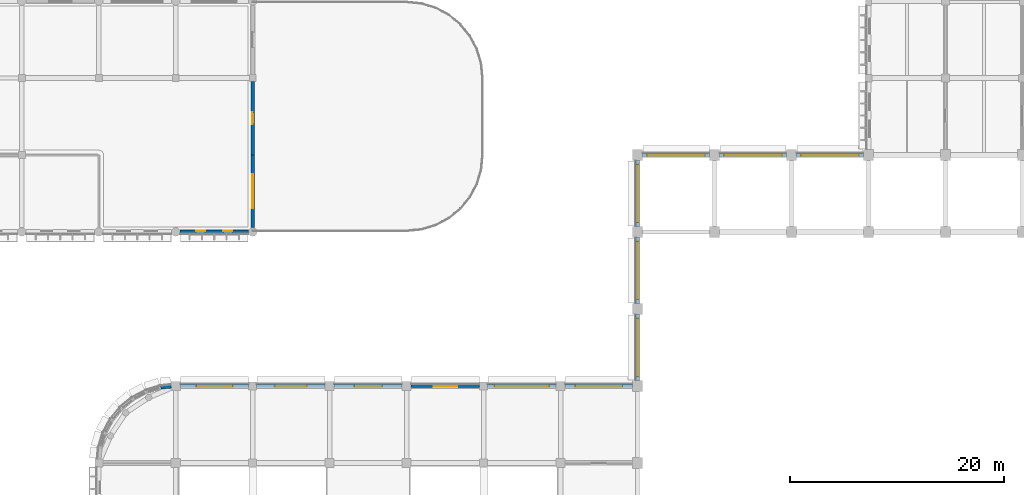
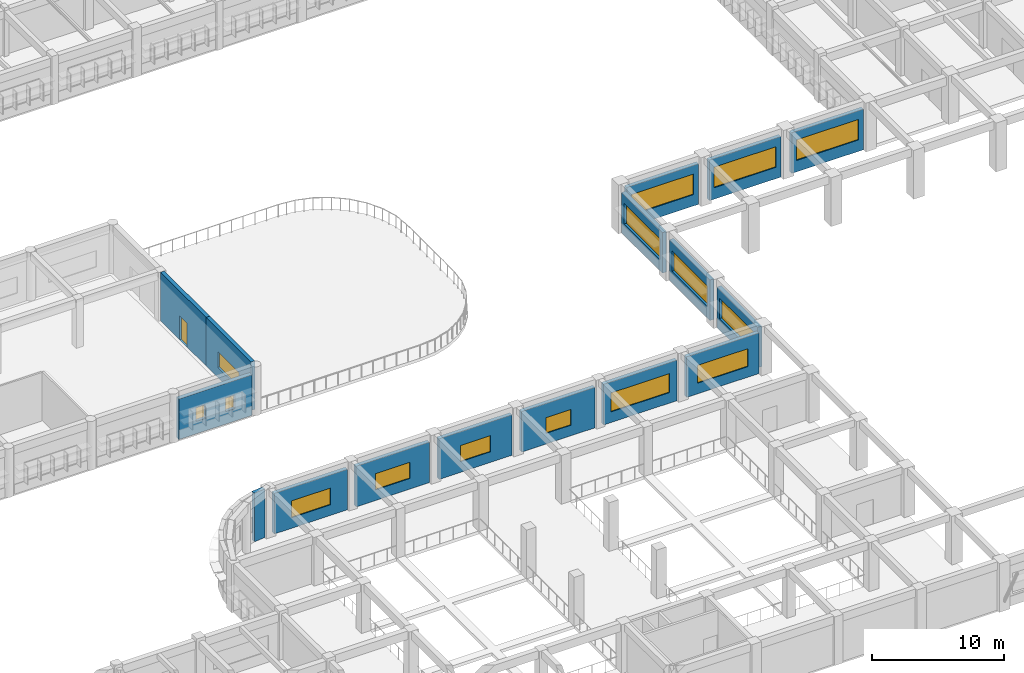
# One storey, part 41 of 61: 16 walls, 15 windows, 1 door, 16 openings.
"""IFC4 building model written with IfcOpenShell, lengths in metres."""

import ifcopenshell
import ifcopenshell.guid

model = None  # the IFC model being written
_history = None  # IfcOwnerHistory: only IFC2X3 demands one
_inside = {}  # id of a spatial element -> (the spatial element, [elements in it])
_under = {}  # id of a project, library or spatial element -> (it, [spatial elements below it])
_declared = {}  # id of a project -> (the project, [libraries it declares])
_typed = {}  # id of a type object -> (the type object, [elements of that type])
_made_of = {}  # id of a material, layer set ... -> (it, [elements and type objects made of it])


def new_model(schema):
    """Start an empty IFC model of exactly this schema.

    Asked for "IFC4X3", IfcOpenShell would pick the latest addendum, in which some entities
    have other attributes; the version numbers below select the first issue.
    IFC2X3 requires an IfcOwnerHistory on every rooted entity: one is made here for all.
    """
    global model, _history
    if schema == "IFC4X3":
        model = ifcopenshell.file(schema_version=(4, 3, 0, 0))
    else:
        model = ifcopenshell.file(schema=schema)
    _inside.clear()
    _under.clear()
    _declared.clear()
    _typed.clear()
    _made_of.clear()
    _history = None
    if model.schema == "IFC2X3":
        org = make("IfcOrganization", Name="unknown")
        user = make(
            "IfcPersonAndOrganization",
            ThePerson=make("IfcPerson", FamilyName="unknown"),
            TheOrganization=org,
        )
        app = make(
            "IfcApplication",
            ApplicationDeveloper=org,
            Version="unknown",
            ApplicationFullName="unknown",
            ApplicationIdentifier="unknown",
        )
        _history = make(
            "IfcOwnerHistory",
            OwningUser=user,
            OwningApplication=app,
            ChangeAction="ADDED",
            CreationDate=0,
        )
    return model


def make(cls, **values):
    """One entity of the class cls with the attributes given. An attribute that is None is left unset."""
    return model.create_entity(
        cls, **{name: value for name, value in values.items() if value is not None}
    )


def rooted(cls, **values):
    """An entity with a GlobalId (a new one), such as an element, a storey or a relation."""
    return make(cls, GlobalId=ifcopenshell.guid.new(), OwnerHistory=_history, **values)


def si_unit(unit_type, name, prefix=None):
    """IfcSIUnit, for example si_unit("LENGTHUNIT", "METRE", prefix="MILLI")."""
    return make("IfcSIUnit", UnitType=unit_type, Prefix=prefix, Name=name)


def assignment(units):
    """IfcUnitAssignment: the units of a project."""
    return None if units is None else make("IfcUnitAssignment", Units=units)


def point(xyz):
    """IfcCartesianPoint."""
    return None if xyz is None else make("IfcCartesianPoint", Coordinates=xyz)


def direction(xyz):
    """IfcDirection."""
    return None if xyz is None else make("IfcDirection", DirectionRatios=xyz)


def frame(location, z_axis=None, x_axis=None):
    """IfcAxis2Placement3D, a coordinate frame: its origin and axes. An axis left out is left unset."""
    return make(
        "IfcAxis2Placement3D",
        Location=point(location),
        Axis=direction(z_axis),
        RefDirection=direction(x_axis),
    )


def frame_2d(location, x_axis=None):
    """IfcAxis2Placement2D, a coordinate frame in the plane: its origin and x axis."""
    return make(
        "IfcAxis2Placement2D", Location=point(location), RefDirection=direction(x_axis)
    )


def origin():
    """The frame at (0, 0, 0) with its axes left unset."""
    return frame((0.0, 0.0, 0.0))


def place(relative_to, where):
    """IfcLocalPlacement: puts the frame where relative to a parent placement (None: the world)."""
    return make(
        "IfcLocalPlacement", PlacementRelTo=relative_to, RelativePlacement=where
    )


def context(
    kind, dimensions, precision=None, world=None, true_north=None, identifier=None
):
    """IfcGeometricRepresentationContext, for example the 3D "Model" context."""
    return make(
        "IfcGeometricRepresentationContext",
        ContextIdentifier=identifier,
        ContextType=kind,
        CoordinateSpaceDimension=dimensions,
        Precision=precision,
        WorldCoordinateSystem=world,
        TrueNorth=true_north,
    )


def subcontext(parent, identifier, kind, view, scale=None):
    """IfcGeometricRepresentationSubContext, for example "Body" below "Model"."""
    return make(
        "IfcGeometricRepresentationSubContext",
        ContextIdentifier=identifier,
        ContextType=kind,
        ParentContext=parent,
        TargetScale=scale,
        TargetView=view,
    )


def project(units=None, contexts=None):
    """IfcProject with its units and contexts."""
    return rooted(
        "IfcProject",
        Name="project",
        RepresentationContexts=contexts,
        UnitsInContext=assignment(units),
    )


def spatial(cls, under=None, at=None, **own):
    """A site, building, storey or space (cls), placed at a placement, below another one or the project."""
    s = rooted(cls, ObjectPlacement=at, **own)
    if under is not None:
        _under.setdefault(under.id(), (under, []))[1].append(s)
    return s


def profile(cls, at=None, kind="AREA", **sizes):
    """A parametric profile (cls). Its sizes go by their IFC names, for example OverallWidth=200.0."""
    return make(cls, ProfileType=kind, Position=at, **sizes)


def rectangle(**sizes):
    """IfcRectangleProfileDef."""
    return profile("IfcRectangleProfileDef", **sizes)


def extrude(swept, where, along, depth):
    """IfcExtrudedAreaSolid: the profile swept, set in the frame where, extruded along a direction by depth."""
    return make(
        "IfcExtrudedAreaSolid",
        SweptArea=swept,
        Position=where,
        ExtrudedDirection=direction(along),
        Depth=depth,
    )


def shape(context_of_items, identifier, shape_type, items):
    """IfcShapeRepresentation: the items that make up one representation, for example the "Body"."""
    return make(
        "IfcShapeRepresentation",
        ContextOfItems=context_of_items,
        RepresentationIdentifier=identifier,
        RepresentationType=shape_type,
        Items=items,
    )


def material(Name=None, Category=None):
    """IfcMaterial."""
    return make("IfcMaterial", Name=Name, Category=Category)


def layer(
    of_material, thickness, ventilated=None, Name=None, Category=None, Priority=None
):
    """IfcMaterialLayer: one layer of a wall or slab, of a material (None: an air gap)."""
    return make(
        "IfcMaterialLayer",
        Material=of_material,
        LayerThickness=thickness,
        IsVentilated=ventilated,
        Name=Name,
        Category=Category,
        Priority=Priority,
    )


def layer_set(layers, Name=None):
    """IfcMaterialLayerSet."""
    return make("IfcMaterialLayerSet", MaterialLayers=layers, LayerSetName=Name)


def made_of(thing, what):
    """Note that an element or type object is made of a material, layer set ...; save() writes the relation."""
    if what is not None:
        _made_of.setdefault(what.id(), (what, []))[1].append(thing)
    return thing


def type_object(cls, material=None, **own):
    """A type object (cls), such as IfcWallType, which elements share."""
    return made_of(rooted(cls, **own), material)


def element(
    cls,
    number,
    at=None,
    inside=None,
    cuts=None,
    type_object=None,
    material=None,
    context=None,
    identifier="Body",
    shape_type=None,
    held_by="IfcProductDefinitionShape",
    body=None,
    shapes=None,
    **own,
):
    """One element of the class cls, such as IfcWall. Its Tag is "e" and its number.

    at: its placement. inside: the storey or other place that contains it. cuts: it is an
    opening in that element (IfcRelVoidsElement). A single representation is given by context,
    identifier, shape_type and body (its items); several are given by shapes. held_by: the class
    of the entity that holds the representations. save() writes the other relations.
    """
    e = rooted(cls, Tag="e%d" % number, ObjectPlacement=at, **own)
    if body is not None:
        shapes = [shape(context, identifier, shape_type, body)]
    if shapes is not None:
        e.Representation = make(held_by, Representations=shapes)
    if inside is not None:
        _inside.setdefault(inside.id(), (inside, []))[1].append(e)
    if cuts is not None:
        rooted(
            "IfcRelVoidsElement", RelatingBuildingElement=cuts, RelatedOpeningElement=e
        )
    if type_object is not None:
        _typed.setdefault(type_object.id(), (type_object, []))[1].append(e)
    return made_of(e, material)


def fill(opening, filler):
    """IfcRelFillsElement: the door or window that sits in an opening."""
    return rooted(
        "IfcRelFillsElement",
        RelatingOpeningElement=opening,
        RelatedBuildingElement=filler,
    )


def aggregate(whole, parts):
    """IfcRelAggregates: a whole, such as a stair, and the parts it consists of."""
    return rooted("IfcRelAggregates", RelatingObject=whole, RelatedObjects=parts)


def save(model, path):
    """Write the relations noted so far, then the file.

    IfcRelAggregates (storeys below a building ...), IfcRelContainedInSpatialStructure (elements
    in a storey), IfcRelDefinesByType, IfcRelAssociatesMaterial and IfcRelDeclares: one each for
    every whole, place, type object, material and project.
    """
    for whole, parts in _under.values():
        aggregate(whole, parts)
    for where, things in _inside.values():
        rooted(
            "IfcRelContainedInSpatialStructure",
            RelatedElements=things,
            RelatingStructure=where,
        )
    for kind, things in _typed.values():
        rooted("IfcRelDefinesByType", RelatedObjects=things, RelatingType=kind)
    for what, things in _made_of.values():
        rooted("IfcRelAssociatesMaterial", RelatedObjects=things, RelatingMaterial=what)
    for by, libraries in _declared.values():
        rooted("IfcRelDeclares", RelatingContext=by, RelatedDefinitions=libraries)
    model.write(path)


model = new_model("IFC4")

# Units and contexts
model_context = context("Model", 3, precision=1e-05, world=origin(), true_north=direction((0.0, 1.0)))
body_context = subcontext(model_context, "Body", "Model", "MODEL_VIEW")
ifc_project = project(units=[si_unit("LENGTHUNIT", "METRE"), si_unit("AREAUNIT", "SQUARE_METRE"), si_unit("VOLUMEUNIT", "CUBIC_METRE"), si_unit("PLANEANGLEUNIT", "RADIAN"), si_unit("MASSUNIT", "GRAM", prefix="KILO")], contexts=[model_context])

# Site, building, storey
site_placement = place(None, origin())
site = spatial("IfcSite", under=ifc_project, at=site_placement, CompositionType="ELEMENT")
building_placement = place(site_placement, origin())
building = spatial("IfcBuilding", under=site, at=building_placement, Name="Thalmaran Polytechnic", CompositionType="ELEMENT")
storey_placement = place(building_placement, frame((0.0, 0.0, 9.89990234375)))
storey = spatial("IfcBuildingStorey", under=building, at=storey_placement, Name="L02", CompositionType="ELEMENT", Elevation=9.89990234375)

# Wall, openings, windows
ifc_material_1 = material(Name="Precast concrete C40/50", Category="concrete")
ifc_layer_1 = layer(ifc_material_1, 0.360107421875, Name="Precast concrete C40/50")
ifc_layer_set_1 = layer_set([ifc_layer_1], Name="Precast concrete C40/50")
wall_type_1 = type_object("IfcWallType", Name="WL-EW01", PredefinedType="STANDARD", material=ifc_layer_set_1)
wall_1_placement = place(storey_placement, frame((71.60009765625, 50.39990234375, 0.0), z_axis=(0.0, 0.0, 1.0), x_axis=(-1.0, 0.0, 0.0)))
wall_1 = element("IfcWall", 1, at=wall_1_placement, inside=storey, type_object=wall_type_1, Name="Exterior Precast Facade Wall L02-122", PredefinedType="STANDARD", context=body_context, shape_type="SweptSolid", body=[
    extrude(rectangle(XDim=6.400146484375, YDim=0.360107421875, at=frame_2d((3.2001953125, 0.0))), origin(), (0.0, 0.0, 1.0), 3.7451171875),
])
opening_1_placement = place(wall_1_placement, frame((1.4951171875, 0.0, 1.14990234375)))
opening_1 = element("IfcOpeningElement", 2, at=opening_1_placement, cuts=wall_1, Name="Opening VW14", PredefinedType="OPENING", context=body_context, shape_type="SweptSolid", body=[
    extrude(rectangle(XDim=0.85009765625, YDim=1.25, at=frame_2d((0.425048828125, 0.625))), frame((0.0, 0.18994140625, 0.0), z_axis=(0.0, -1.0, 0.0), x_axis=(1.0, 0.0, 0.0)), (0.0, 0.0, 1.0), 0.380126953125),
])
opening_2_placement = place(wall_1_placement, frame((4.054931640625, 0.0, 1.14990234375)))
opening_2 = element("IfcOpeningElement", 3, at=opening_2_placement, cuts=wall_1, Name="Opening VW14", PredefinedType="OPENING", context=body_context, shape_type="SweptSolid", body=[
    extrude(rectangle(XDim=0.85009765625, YDim=1.25, at=frame_2d((0.425048828125, 0.625))), frame((0.0, 0.18994140625, 0.0), z_axis=(0.0, -1.0, 0.0), x_axis=(1.0, 0.0, 0.0)), (0.0, 0.0, 1.0), 0.380126953125),
])
ifc_material_2 = material(Name="Thermally broken aluminium and double low-E glass", Category="aluminium")
window_type_1 = type_object("IfcWindowType", Name="WN-VZ14", PartitioningType="SINGLE_PANEL", PredefinedType="WINDOW", material=ifc_material_2)
window_1_placement = place(opening_1_placement, origin())
window_1 = element("IfcWindow", 4, at=window_1_placement, inside=storey, type_object=window_type_1, Name="Deep-Set Solar-Screened Window W-0329", OverallHeight=1.25, OverallWidth=0.85009765625, PartitioningType="SINGLE_PANEL", PredefinedType="WINDOW", context=body_context, shape_type="SweptSolid", body=[
    extrude(rectangle(XDim=0.85009765625, YDim=1.25, at=frame_2d((0.425048828125, 0.625))), frame((0.0, -0.080078125, 0.0), z_axis=(0.0, -1.0, 0.0), x_axis=(1.0, 0.0, 0.0)), (0.0, 0.0, 1.0), 0.06005859375),
])
fill(opening_1, window_1)
window_2_placement = place(opening_2_placement, origin())
window_2 = element("IfcWindow", 5, at=window_2_placement, inside=storey, type_object=window_type_1, Name="Deep-Set Solar-Screened Window W-0330", OverallHeight=1.25, OverallWidth=0.85009765625, PartitioningType="SINGLE_PANEL", PredefinedType="WINDOW", context=body_context, shape_type="SweptSolid", body=[
    extrude(rectangle(XDim=0.85009765625, YDim=1.25, at=frame_2d((0.425048828125, 0.625))), frame((0.0, -0.080078125, 0.0), z_axis=(0.0, -1.0, 0.0), x_axis=(1.0, 0.0, 0.0)), (0.0, 0.0, 1.0), 0.06005859375),
])
fill(opening_2, window_2)

# Wall, opening, window
wall_2_placement = place(storey_placement, frame((108.0, 36.52490234375, 0.0), z_axis=(0.0, 0.0, 1.0), x_axis=(0.0, 1.0, 0.0)))
wall_2 = element("IfcWall", 6, at=wall_2_placement, inside=storey, type_object=wall_type_1, Name="Exterior Precast Facade Wall L02-153", PredefinedType="STANDARD", context=body_context, shape_type="SweptSolid", body=[
    extrude(rectangle(XDim=6.150146484375, YDim=0.360107421875, at=frame_2d((3.0751953125, 0.0))), origin(), (0.0, 0.0, 1.0), 3.7451171875),
])
opening_3_placement = place(wall_2_placement, frame((0.375, 0.0, 1.050048828125)))
opening_3 = element("IfcOpeningElement", 7, at=opening_3_placement, cuts=wall_2, Name="Opening CL01", PredefinedType="OPENING", context=body_context, shape_type="SweptSolid", body=[
    extrude(rectangle(XDim=5.39990234375, YDim=1.89990234375, at=frame_2d((2.699951171875, 0.949951171875))), frame((0.0, 0.18994140625, 0.0), z_axis=(0.0, -1.0, 0.0), x_axis=(1.0, 0.0, 0.0)), (0.0, 0.0, 1.0), 0.380126953125),
])
window_type_2 = type_object("IfcWindowType", Name="WN-CL01", PartitioningType="TRIPLE_PANEL_HORIZONTAL", PredefinedType="WINDOW", material=ifc_material_2)
window_3_placement = place(opening_3_placement, origin())
window_3 = element("IfcWindow", 8, at=window_3_placement, inside=storey, type_object=window_type_2, Name="Workshop Clerestory Window W-0366", OverallHeight=1.89990234375, OverallWidth=5.39990234375, PartitioningType="SINGLE_PANEL", PredefinedType="WINDOW", context=body_context, shape_type="SweptSolid", body=[
    extrude(rectangle(XDim=5.39990234375, YDim=1.89990234375, at=frame_2d((2.699951171875, 0.949951171875))), frame((0.0, -0.02001953125, 0.0), z_axis=(0.0, -1.0, 0.0), x_axis=(1.0, 0.0, 0.0)), (0.0, 0.0, 1.0), 0.06005859375),
])
fill(opening_3, window_3)

wall_3_placement = place(storey_placement, frame((108.0, 43.72509765625, 0.0), z_axis=(0.0, 0.0, 1.0), x_axis=(0.0, 1.0, 0.0)))
wall_3 = element("IfcWall", 9, at=wall_3_placement, inside=storey, type_object=wall_type_1, Name="Exterior Precast Facade Wall L02-154", PredefinedType="STANDARD", context=body_context, shape_type="SweptSolid", body=[
    extrude(rectangle(XDim=6.14990234375, YDim=0.360107421875, at=frame_2d((3.074951171875, 0.0))), origin(), (0.0, 0.0, 1.0), 3.7451171875),
])
opening_4_placement = place(wall_3_placement, frame((0.375, 0.0, 1.050048828125)))
opening_4 = element("IfcOpeningElement", 10, at=opening_4_placement, cuts=wall_3, Name="Opening CL01", PredefinedType="OPENING", context=body_context, shape_type="SweptSolid", body=[
    extrude(rectangle(XDim=5.39990234375, YDim=1.89990234375, at=frame_2d((2.699951171875, 0.949951171875))), frame((0.0, 0.18994140625, 0.0), z_axis=(0.0, -1.0, 0.0), x_axis=(1.0, 0.0, 0.0)), (0.0, 0.0, 1.0), 0.380126953125),
])
window_4_placement = place(opening_4_placement, origin())
window_4 = element("IfcWindow", 11, at=window_4_placement, inside=storey, type_object=window_type_2, Name="Workshop Clerestory Window W-0367", OverallHeight=1.89990234375, OverallWidth=5.39990234375, PartitioningType="SINGLE_PANEL", PredefinedType="WINDOW", context=body_context, shape_type="SweptSolid", body=[
    extrude(rectangle(XDim=5.39990234375, YDim=1.89990234375, at=frame_2d((2.699951171875, 0.949951171875))), frame((0.0, -0.02001953125, 0.0), z_axis=(0.0, -1.0, 0.0), x_axis=(1.0, 0.0, 0.0)), (0.0, 0.0, 1.0), 0.06005859375),
])
fill(opening_4, window_4)

wall_4_placement = place(storey_placement, frame((108.0, 50.925048828125, 0.0), z_axis=(0.0, 0.0, 1.0), x_axis=(0.0, 1.0, 0.0)))
wall_4 = element("IfcWall", 12, at=wall_4_placement, inside=storey, type_object=wall_type_1, Name="Exterior Precast Facade Wall L02-155", PredefinedType="STANDARD", context=body_context, shape_type="SweptSolid", body=[
    extrude(rectangle(XDim=6.14990234375, YDim=0.360107421875, at=frame_2d((3.074951171875, 0.0))), origin(), (0.0, 0.0, 1.0), 3.7451171875),
])
opening_5_placement = place(wall_4_placement, frame((0.375, 0.0, 1.050048828125)))
opening_5 = element("IfcOpeningElement", 13, at=opening_5_placement, cuts=wall_4, Name="Opening CL01", PredefinedType="OPENING", context=body_context, shape_type="SweptSolid", body=[
    extrude(rectangle(XDim=5.39990234375, YDim=1.89990234375, at=frame_2d((2.699951171875, 0.949951171875))), frame((0.0, 0.18994140625, 0.0), z_axis=(0.0, -1.0, 0.0), x_axis=(1.0, 0.0, 0.0)), (0.0, 0.0, 1.0), 0.380126953125),
])
window_5_placement = place(opening_5_placement, origin())
window_5 = element("IfcWindow", 14, at=window_5_placement, inside=storey, type_object=window_type_2, Name="Workshop Clerestory Window W-0368", OverallHeight=1.89990234375, OverallWidth=5.39990234375, PartitioningType="SINGLE_PANEL", PredefinedType="WINDOW", context=body_context, shape_type="SweptSolid", body=[
    extrude(rectangle(XDim=5.39990234375, YDim=1.89990234375, at=frame_2d((2.699951171875, 0.949951171875))), frame((0.0, -0.02001953125, 0.0), z_axis=(0.0, -1.0, 0.0), x_axis=(1.0, 0.0, 0.0)), (0.0, 0.0, 1.0), 0.06005859375),
])
fill(opening_5, window_5)

# Wall, opening, door
ifc_layer_2 = layer(ifc_material_1, 0.330078125, Name="Precast concrete C40/50")
ifc_layer_set_2 = layer_set([ifc_layer_2], Name="Precast concrete C40/50")
wall_type_2 = type_object("IfcWallType", Name="WL-EW02", PredefinedType="STANDARD", material=ifc_layer_set_2)
wall_5_placement = place(storey_placement, frame((72.0, 64.47509765625, 0.0), z_axis=(0.0, 0.0, 1.0), x_axis=(0.0, -1.0, 0.0)))
wall_5 = element("IfcWall", 15, at=wall_5_placement, inside=storey, type_object=wall_type_2, Name="Terrace Access Wall L02-120", PredefinedType="STANDARD", context=body_context, shape_type="SweptSolid", body=[
    extrude(rectangle(XDim=6.875, YDim=0.330078125, at=frame_2d((3.4375, 0.0))), origin(), (0.0, 0.0, 1.0), 4.47998046875),
])
opening_6_placement = place(wall_5_placement, frame((2.887451171875, 0.0, 0.0)))
opening_6 = element("IfcOpeningElement", 16, at=opening_6_placement, cuts=wall_5, Name="Opening TD-002", PredefinedType="OPENING", context=body_context, shape_type="SweptSolid", body=[
    extrude(rectangle(XDim=1.10009765625, YDim=2.199951171875, at=frame_2d((0.550048828125, 1.10009765625))), frame((0.0, 0.175048828125, 0.0), z_axis=(0.0, -1.0, 0.0), x_axis=(1.0, 0.0, 0.0)), (0.0, 0.0, 1.0), 0.35009765625),
])
ifc_material_3 = material(Name="Anodised aluminium and safety glass", Category="aluminium")
door_type = type_object("IfcDoorType", Name="DR-TD02", OperationType="NOTDEFINED", PredefinedType="DOOR", material=ifc_material_3)
door_placement = place(opening_6_placement, origin())
door = element("IfcDoor", 17, at=door_placement, inside=storey, type_object=door_type, Name="Terrace Access Door TD-002", OperationType="SINGLE_SWING_RIGHT", OverallHeight=2.199951171875, OverallWidth=1.10009765625, PredefinedType="DOOR", context=body_context, shape_type="SweptSolid", body=[
    extrude(rectangle(XDim=1.10009765625, YDim=2.199951171875, at=frame_2d((0.550048828125, 1.10009765625))), frame((0.0, 0.02490234375, 0.0), z_axis=(0.0, -1.0, 0.0), x_axis=(1.0, 0.0, 0.0)), (0.0, 0.0, 1.0), 0.050048828125),
])
fill(opening_6, door)

# Wall, opening, window
wall_6_placement = place(storey_placement, frame((72.0, 57.60009765625, 0.0), z_axis=(0.0, 0.0, 1.0), x_axis=(0.0, -1.0, 0.0)))
wall_6 = element("IfcWall", 18, at=wall_6_placement, inside=storey, type_object=wall_type_2, Name="Terrace Access Wall L02-121", PredefinedType="STANDARD", context=body_context, shape_type="SweptSolid", body=[
    extrude(rectangle(XDim=6.800048828125, YDim=0.330078125, at=frame_2d((3.39990234375, 0.0))), origin(), (0.0, 0.0, 1.0), 4.47998046875),
])
opening_7_placement = place(wall_6_placement, frame((1.800048828125, 0.0, 0.949951171875)))
opening_7 = element("IfcOpeningElement", 19, at=opening_7_placement, cuts=wall_6, Name="Opening RW04", PredefinedType="OPENING", context=body_context, shape_type="SweptSolid", body=[
    extrude(rectangle(XDim=3.199951171875, YDim=1.449951171875, at=frame_2d((1.60009765625, 0.72509765625))), frame((0.0, 0.175048828125, 0.0), z_axis=(0.0, -1.0, 0.0), x_axis=(1.0, 0.0, 0.0)), (0.0, 0.0, 1.0), 0.35009765625),
])
window_type_3 = type_object("IfcWindowType", Name="WN-RW04", PartitioningType="DOUBLE_PANEL_VERTICAL", PredefinedType="WINDOW", material=ifc_material_2)
window_6_placement = place(opening_7_placement, origin())
window_6 = element("IfcWindow", 20, at=window_6_placement, inside=storey, type_object=window_type_3, Name="Terrace Ribbon Window W-0328", OverallHeight=1.449951171875, OverallWidth=3.199951171875, PartitioningType="SINGLE_PANEL", PredefinedType="WINDOW", context=body_context, shape_type="SweptSolid", body=[
    extrude(rectangle(XDim=3.199951171875, YDim=1.449951171875, at=frame_2d((1.60009765625, 0.72509765625))), frame((0.0, 0.030029296875, 0.0), z_axis=(0.0, -1.0, 0.0), x_axis=(1.0, 0.0, 0.0)), (0.0, 0.0, 1.0), 0.06005859375),
])
fill(opening_7, window_6)

# Wall
wall_7_placement = place(storey_placement, frame((63.395263671875, 35.861572265625, 0.0), z_axis=(0.0, 0.0, 1.0), x_axis=(0.99518554585, 0.09800882272, 0.0)))
element("IfcWall", 21, at=wall_7_placement, inside=storey, type_object=wall_type_2, Name="Exterior Precast Facade Wall L02-146", PredefinedType="STANDARD", context=body_context, shape_type="SweptSolid", body=[
    extrude(rectangle(XDim=0.986328125, YDim=0.330078125, at=frame_2d((0.4931640625, 0.0))), origin(), (0.0, 0.0, 1.0), 4.47998046875),
])

# Wall, opening, window
wall_8_placement = place(storey_placement, frame((65.22509765625, 36.0, 0.0), z_axis=(0.0, 0.0, 1.0), x_axis=(1.0, 0.0, 0.0)))
wall_8 = element("IfcWall", 22, at=wall_8_placement, inside=storey, type_object=wall_type_2, Name="Exterior Precast Facade Wall L02-147", PredefinedType="STANDARD", context=body_context, shape_type="SweptSolid", body=[
    extrude(rectangle(XDim=6.39990234375, YDim=0.330078125, at=frame_2d((3.199951171875, 0.0))), origin(), (0.0, 0.0, 1.0), 3.7451171875),
])
opening_8_placement = place(wall_8_placement, frame((1.5, 0.0, 0.97998046875)))
opening_8 = element("IfcOpeningElement", 23, at=opening_8_placement, cuts=wall_8, Name="Opening VW03", PredefinedType="OPENING", context=body_context, shape_type="SweptSolid", body=[
    extrude(rectangle(XDim=3.39990234375, YDim=1.550048828125, at=frame_2d((1.699951171875, 0.77490234375))), frame((0.0, 0.175048828125, 0.0), z_axis=(0.0, -1.0, 0.0), x_axis=(1.0, 0.0, 0.0)), (0.0, 0.0, 1.0), 0.35009765625),
])
window_type_4 = type_object("IfcWindowType", Name="WN-VZ03", PartitioningType="DOUBLE_PANEL_VERTICAL", PredefinedType="WINDOW", material=ifc_material_2)
window_7_placement = place(opening_8_placement, origin())
window_7 = element("IfcWindow", 24, at=window_7_placement, inside=storey, type_object=window_type_4, Name="Streamline Ribbon Window W-0360", OverallHeight=1.550048828125, OverallWidth=3.39990234375, PartitioningType="SINGLE_PANEL", PredefinedType="WINDOW", context=body_context, shape_type="SweptSolid", body=[
    extrude(rectangle(XDim=3.39990234375, YDim=1.550048828125, at=frame_2d((1.699951171875, 0.77490234375))), frame((0.0, -0.030029296875, 0.0), z_axis=(0.0, -1.0, 0.0), x_axis=(1.0, 0.0, 0.0)), (0.0, 0.0, 1.0), 0.06005859375),
])
fill(opening_8, window_7)

wall_9_placement = place(storey_placement, frame((72.375, 36.0, 0.0), z_axis=(0.0, 0.0, 1.0), x_axis=(1.0, 0.0, 0.0)))
wall_9 = element("IfcWall", 25, at=wall_9_placement, inside=storey, type_object=wall_type_2, Name="Exterior Precast Facade Wall L02-148", PredefinedType="STANDARD", context=body_context, shape_type="SweptSolid", body=[
    extrude(rectangle(XDim=6.39990234375, YDim=0.330078125, at=frame_2d((3.199951171875, 0.0))), origin(), (0.0, 0.0, 1.0), 3.7451171875),
])
opening_9_placement = place(wall_9_placement, frame((1.699951171875, 0.0, 0.97998046875)))
opening_9 = element("IfcOpeningElement", 26, at=opening_9_placement, cuts=wall_9, Name="Opening VW04", PredefinedType="OPENING", context=body_context, shape_type="SweptSolid", body=[
    extrude(rectangle(XDim=3.0, YDim=1.5, at=frame_2d((1.5, 0.75))), frame((0.0, 0.175048828125, 0.0), z_axis=(0.0, -1.0, 0.0), x_axis=(1.0, 0.0, 0.0)), (0.0, 0.0, 1.0), 0.35009765625),
])
window_type_5 = type_object("IfcWindowType", Name="WN-VZ04", PartitioningType="DOUBLE_PANEL_VERTICAL", PredefinedType="WINDOW", material=ifc_material_2)
window_8_placement = place(opening_9_placement, origin())
window_8 = element("IfcWindow", 27, at=window_8_placement, inside=storey, type_object=window_type_5, Name="Streamline Ribbon Window W-0361", OverallHeight=1.5, OverallWidth=3.0, PartitioningType="SINGLE_PANEL", PredefinedType="WINDOW", context=body_context, shape_type="SweptSolid", body=[
    extrude(rectangle(XDim=3.0, YDim=1.5, at=frame_2d((1.5, 0.75))), frame((0.0, -0.030029296875, 0.0), z_axis=(0.0, -1.0, 0.0), x_axis=(1.0, 0.0, 0.0)), (0.0, 0.0, 1.0), 0.06005859375),
])
fill(opening_9, window_8)

wall_10_placement = place(storey_placement, frame((79.625, 36.0, 0.0), z_axis=(0.0, 0.0, 1.0), x_axis=(1.0, 0.0, 0.0)))
wall_10 = element("IfcWall", 28, at=wall_10_placement, inside=storey, type_object=wall_type_2, Name="Exterior Precast Facade Wall L02-149", PredefinedType="STANDARD", context=body_context, shape_type="SweptSolid", body=[
    extrude(rectangle(XDim=6.35009765625, YDim=0.330078125, at=frame_2d((3.175048828125, 0.0))), origin(), (0.0, 0.0, 1.0), 3.7451171875),
])
opening_10_placement = place(wall_10_placement, frame((1.875, 0.0, 0.97998046875)))
opening_10 = element("IfcOpeningElement", 29, at=opening_10_placement, cuts=wall_10, Name="Opening VW05", PredefinedType="OPENING", context=body_context, shape_type="SweptSolid", body=[
    extrude(rectangle(XDim=2.60009765625, YDim=1.5, at=frame_2d((1.300048828125, 0.75))), frame((0.0, 0.175048828125, 0.0), z_axis=(0.0, -1.0, 0.0), x_axis=(1.0, 0.0, 0.0)), (0.0, 0.0, 1.0), 0.35009765625),
])
window_type_6 = type_object("IfcWindowType", Name="WN-VZ05", PartitioningType="DOUBLE_PANEL_VERTICAL", PredefinedType="WINDOW", material=ifc_material_2)
window_9_placement = place(opening_10_placement, origin())
window_9 = element("IfcWindow", 30, at=window_9_placement, inside=storey, type_object=window_type_6, Name="Streamline Ribbon Window W-0362", OverallHeight=1.5, OverallWidth=2.60009765625, PartitioningType="SINGLE_PANEL", PredefinedType="WINDOW", context=body_context, shape_type="SweptSolid", body=[
    extrude(rectangle(XDim=2.60009765625, YDim=1.5, at=frame_2d((1.300048828125, 0.75))), frame((0.0, -0.030029296875, 0.0), z_axis=(0.0, -1.0, 0.0), x_axis=(1.0, 0.0, 0.0)), (0.0, 0.0, 1.0), 0.06005859375),
])
fill(opening_10, window_9)

wall_11_placement = place(storey_placement, frame((86.824951171875, 36.0, 0.0), z_axis=(0.0, 0.0, 1.0), x_axis=(1.0, 0.0, 0.0)))
wall_11 = element("IfcWall", 31, at=wall_11_placement, inside=storey, type_object=wall_type_2, Name="Exterior Precast Facade Wall L02-150", PredefinedType="STANDARD", context=body_context, shape_type="SweptSolid", body=[
    extrude(rectangle(XDim=6.400146484375, YDim=0.330078125, at=frame_2d((3.2001953125, 0.0))), origin(), (0.0, 0.0, 1.0), 3.7451171875),
])
opening_11_placement = place(wall_11_placement, frame((2.10009765625, 0.0, 0.97998046875)))
opening_11 = element("IfcOpeningElement", 32, at=opening_11_placement, cuts=wall_11, Name="Opening VW06", PredefinedType="OPENING", context=body_context, shape_type="SweptSolid", body=[
    extrude(rectangle(XDim=2.199951171875, YDim=1.449951171875, at=frame_2d((1.10009765625, 0.72509765625))), frame((0.0, 0.175048828125, 0.0), z_axis=(0.0, -1.0, 0.0), x_axis=(1.0, 0.0, 0.0)), (0.0, 0.0, 1.0), 0.35009765625),
])
window_type_7 = type_object("IfcWindowType", Name="WN-VZ06", PartitioningType="DOUBLE_PANEL_VERTICAL", PredefinedType="WINDOW", material=ifc_material_2)
window_10_placement = place(opening_11_placement, origin())
window_10 = element("IfcWindow", 33, at=window_10_placement, inside=storey, type_object=window_type_7, Name="Streamline Ribbon Window W-0363", OverallHeight=1.449951171875, OverallWidth=2.199951171875, PartitioningType="SINGLE_PANEL", PredefinedType="WINDOW", context=body_context, shape_type="SweptSolid", body=[
    extrude(rectangle(XDim=2.199951171875, YDim=1.449951171875, at=frame_2d((1.10009765625, 0.72509765625))), frame((0.0, -0.030029296875, 0.0), z_axis=(0.0, -1.0, 0.0), x_axis=(1.0, 0.0, 0.0)), (0.0, 0.0, 1.0), 0.06005859375),
])
fill(opening_11, window_10)

wall_12_placement = place(storey_placement, frame((93.97509765625, 36.0, 0.0), z_axis=(0.0, 0.0, 1.0), x_axis=(1.0, 0.0, 0.0)))
wall_12 = element("IfcWall", 34, at=wall_12_placement, inside=storey, type_object=wall_type_2, Name="Exterior Precast Facade Wall L02-151", PredefinedType="STANDARD", context=body_context, shape_type="SweptSolid", body=[
    extrude(rectangle(XDim=6.39990234375, YDim=0.330078125, at=frame_2d((3.199951171875, 0.0))), origin(), (0.0, 0.0, 1.0), 3.7451171875),
])
opening_12_placement = place(wall_12_placement, frame((0.64990234375, 0.0, 0.97998046875)))
opening_12 = element("IfcOpeningElement", 35, at=opening_12_placement, cuts=wall_12, Name="Opening VW15", PredefinedType="OPENING", context=body_context, shape_type="SweptSolid", body=[
    extrude(rectangle(XDim=5.10009765625, YDim=1.75, at=frame_2d((2.550048828125, 0.875))), frame((0.0, 0.175048828125, 0.0), z_axis=(0.0, -1.0, 0.0), x_axis=(1.0, 0.0, 0.0)), (0.0, 0.0, 1.0), 0.35009765625),
])
window_type_8 = type_object("IfcWindowType", Name="WN-VZ15", PartitioningType="TRIPLE_PANEL_HORIZONTAL", PredefinedType="WINDOW", material=ifc_material_2)
window_11_placement = place(opening_12_placement, origin())
window_11 = element("IfcWindow", 36, at=window_11_placement, inside=storey, type_object=window_type_8, Name="Streamline Ribbon Window W-0364", OverallHeight=1.75, OverallWidth=5.10009765625, PartitioningType="SINGLE_PANEL", PredefinedType="WINDOW", context=body_context, shape_type="SweptSolid", body=[
    extrude(rectangle(XDim=5.10009765625, YDim=1.75, at=frame_2d((2.550048828125, 0.875))), frame((0.0, -0.030029296875, 0.0), z_axis=(0.0, -1.0, 0.0), x_axis=(1.0, 0.0, 0.0)), (0.0, 0.0, 1.0), 0.06005859375),
])
fill(opening_12, window_11)

wall_13_placement = place(storey_placement, frame((101.22509765625, 36.0, 0.0), z_axis=(0.0, 0.0, 1.0), x_axis=(1.0, 0.0, 0.0)))
wall_13 = element("IfcWall", 37, at=wall_13_placement, inside=storey, type_object=wall_type_2, Name="Exterior Precast Facade Wall L02-152", PredefinedType="STANDARD", context=body_context, shape_type="SweptSolid", body=[
    extrude(rectangle(XDim=6.2998046875, YDim=0.330078125, at=frame_2d((3.14990234375, 0.0))), origin(), (0.0, 0.0, 1.0), 3.7451171875),
])
opening_13_placement = place(wall_13_placement, frame((0.949951171875, 0.0, 0.97998046875)))
opening_13 = element("IfcOpeningElement", 38, at=opening_13_placement, cuts=wall_13, Name="Opening VW16", PredefinedType="OPENING", context=body_context, shape_type="SweptSolid", body=[
    extrude(rectangle(XDim=4.39990234375, YDim=1.64990234375, at=frame_2d((2.199951171875, 0.824951171875))), frame((0.0, 0.175048828125, 0.0), z_axis=(0.0, -1.0, 0.0), x_axis=(1.0, 0.0, 0.0)), (0.0, 0.0, 1.0), 0.35009765625),
])
window_type_9 = type_object("IfcWindowType", Name="WN-VZ16", PartitioningType="TRIPLE_PANEL_HORIZONTAL", PredefinedType="WINDOW", material=ifc_material_2)
window_12_placement = place(opening_13_placement, origin())
window_12 = element("IfcWindow", 39, at=window_12_placement, inside=storey, type_object=window_type_9, Name="Streamline Ribbon Window W-0365", OverallHeight=1.64990234375, OverallWidth=4.39990234375, PartitioningType="SINGLE_PANEL", PredefinedType="WINDOW", context=body_context, shape_type="SweptSolid", body=[
    extrude(rectangle(XDim=4.39990234375, YDim=1.64990234375, at=frame_2d((2.199951171875, 0.824951171875))), frame((0.0, -0.030029296875, 0.0), z_axis=(0.0, -1.0, 0.0), x_axis=(1.0, 0.0, 0.0)), (0.0, 0.0, 1.0), 0.06005859375),
])
fill(opening_13, window_12)

wall_14_placement = place(storey_placement, frame((108.47509765625, 57.60009765625, 0.0), z_axis=(0.0, 0.0, 1.0), x_axis=(1.0, 0.0, 0.0)))
wall_14 = element("IfcWall", 40, at=wall_14_placement, inside=storey, type_object=wall_type_2, Name="Exterior Precast Facade Wall L02-156", PredefinedType="STANDARD", context=body_context, shape_type="SweptSolid", body=[
    extrude(rectangle(XDim=6.25, YDim=0.330078125, at=frame_2d((3.125, 0.0))), origin(), (0.0, 0.0, 1.0), 3.7451171875),
])
opening_14_placement = place(wall_14_placement, frame((0.425048828125, 0.0, 1.050048828125)))
opening_14 = element("IfcOpeningElement", 41, at=opening_14_placement, cuts=wall_14, Name="Opening CL01", PredefinedType="OPENING", context=body_context, shape_type="SweptSolid", body=[
    extrude(rectangle(XDim=5.39990234375, YDim=1.89990234375, at=frame_2d((2.699951171875, 0.949951171875))), frame((0.0, 0.175048828125, 0.0), z_axis=(0.0, -1.0, 0.0), x_axis=(1.0, 0.0, 0.0)), (0.0, 0.0, 1.0), 0.35009765625),
])
window_13_placement = place(opening_14_placement, origin())
window_13 = element("IfcWindow", 42, at=window_13_placement, inside=storey, type_object=window_type_2, Name="Workshop Clerestory Window W-0369", OverallHeight=1.89990234375, OverallWidth=5.39990234375, PartitioningType="SINGLE_PANEL", PredefinedType="WINDOW", context=body_context, shape_type="SweptSolid", body=[
    extrude(rectangle(XDim=5.39990234375, YDim=1.89990234375, at=frame_2d((2.699951171875, 0.949951171875))), frame((0.0, -0.02001953125, 0.0), z_axis=(0.0, -1.0, 0.0), x_axis=(1.0, 0.0, 0.0)), (0.0, 0.0, 1.0), 0.06005859375),
])
fill(opening_14, window_13)

wall_15_placement = place(storey_placement, frame((115.675048828125, 57.60009765625, 0.0), z_axis=(0.0, 0.0, 1.0), x_axis=(1.0, 0.0, 0.0)))
wall_15 = element("IfcWall", 43, at=wall_15_placement, inside=storey, type_object=wall_type_2, Name="Exterior Precast Facade Wall L02-157", PredefinedType="STANDARD", context=body_context, shape_type="SweptSolid", body=[
    extrude(rectangle(XDim=6.25, YDim=0.330078125, at=frame_2d((3.125, 0.0))), origin(), (0.0, 0.0, 1.0), 3.7451171875),
])
opening_15_placement = place(wall_15_placement, frame((0.425048828125, 0.0, 1.050048828125)))
opening_15 = element("IfcOpeningElement", 44, at=opening_15_placement, cuts=wall_15, Name="Opening CL01", PredefinedType="OPENING", context=body_context, shape_type="SweptSolid", body=[
    extrude(rectangle(XDim=5.39990234375, YDim=1.89990234375, at=frame_2d((2.699951171875, 0.949951171875))), frame((0.0, 0.175048828125, 0.0), z_axis=(0.0, -1.0, 0.0), x_axis=(1.0, 0.0, 0.0)), (0.0, 0.0, 1.0), 0.35009765625),
])
window_14_placement = place(opening_15_placement, origin())
window_14 = element("IfcWindow", 45, at=window_14_placement, inside=storey, type_object=window_type_2, Name="Workshop Clerestory Window W-0370", OverallHeight=1.89990234375, OverallWidth=5.39990234375, PartitioningType="SINGLE_PANEL", PredefinedType="WINDOW", context=body_context, shape_type="SweptSolid", body=[
    extrude(rectangle(XDim=5.39990234375, YDim=1.89990234375, at=frame_2d((2.699951171875, 0.949951171875))), frame((0.0, -0.02001953125, 0.0), z_axis=(0.0, -1.0, 0.0), x_axis=(1.0, 0.0, 0.0)), (0.0, 0.0, 1.0), 0.06005859375),
])
fill(opening_15, window_14)

wall_16_placement = place(storey_placement, frame((122.875, 57.60009765625, 0.0), z_axis=(0.0, 0.0, 1.0), x_axis=(1.0, 0.0, 0.0)))
wall_16 = element("IfcWall", 46, at=wall_16_placement, inside=storey, type_object=wall_type_2, Name="Exterior Precast Facade Wall L02-158", PredefinedType="STANDARD", context=body_context, shape_type="SweptSolid", body=[
    extrude(rectangle(XDim=6.25, YDim=0.330078125, at=frame_2d((3.125, 0.0))), origin(), (0.0, 0.0, 1.0), 3.7451171875),
])
opening_16_placement = place(wall_16_placement, frame((0.425048828125, 0.0, 1.050048828125)))
opening_16 = element("IfcOpeningElement", 47, at=opening_16_placement, cuts=wall_16, Name="Opening CL01", PredefinedType="OPENING", context=body_context, shape_type="SweptSolid", body=[
    extrude(rectangle(XDim=5.39990234375, YDim=1.89990234375, at=frame_2d((2.699951171875, 0.949951171875))), frame((0.0, 0.175048828125, 0.0), z_axis=(0.0, -1.0, 0.0), x_axis=(1.0, 0.0, 0.0)), (0.0, 0.0, 1.0), 0.35009765625),
])
window_15_placement = place(opening_16_placement, origin())
window_15 = element("IfcWindow", 48, at=window_15_placement, inside=storey, type_object=window_type_2, Name="Workshop Clerestory Window W-0371", OverallHeight=1.89990234375, OverallWidth=5.39990234375, PartitioningType="SINGLE_PANEL", PredefinedType="WINDOW", context=body_context, shape_type="SweptSolid", body=[
    extrude(rectangle(XDim=5.39990234375, YDim=1.89990234375, at=frame_2d((2.699951171875, 0.949951171875))), frame((0.0, -0.02001953125, 0.0), z_axis=(0.0, -1.0, 0.0), x_axis=(1.0, 0.0, 0.0)), (0.0, 0.0, 1.0), 0.06005859375),
])
fill(opening_16, window_15)

save(model, "model.ifc")
